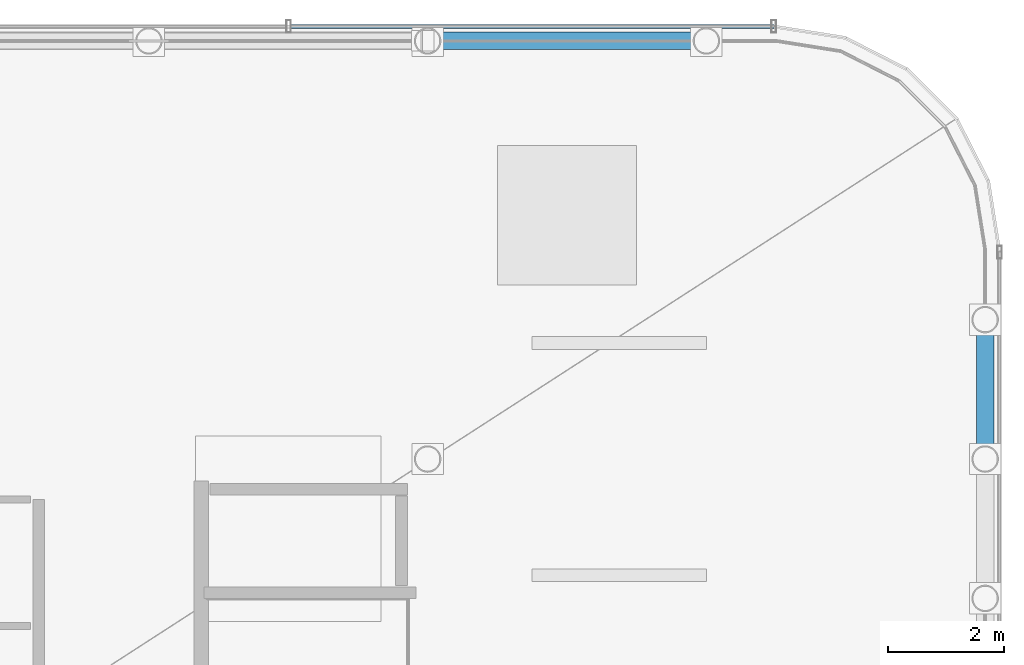
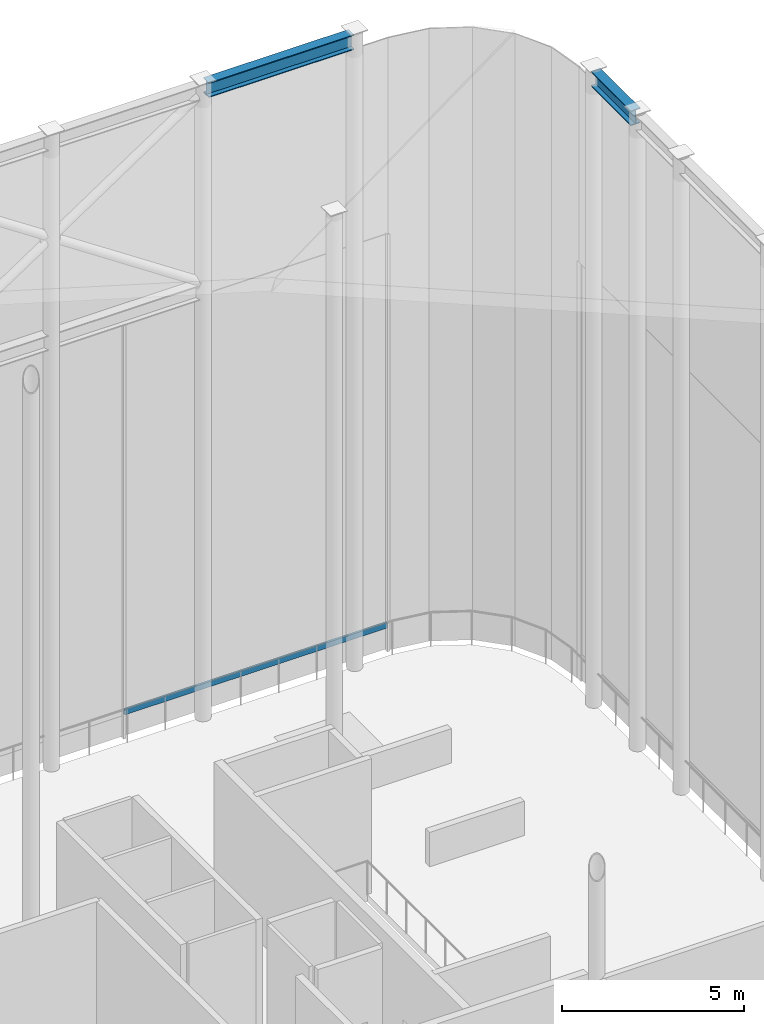
# One storey, part 33 of 42: 2 beams, 1 member, 1 element without a shape of its own.
"""IFC4 building model written with IfcOpenShell, lengths in metres."""

from ifc_helpers import new_model, si_unit, direction, frame, origin, origin_2d, place, context, subcontext, project, spatial, hollow_rectangle, i_section, extrude, material, layer, layer_set, material_profile, profile_set, type_object, element, aggregate, save


model = new_model("IFC4")

# Units and contexts
model_context = context("Model", 3, precision=1e-05, world=origin(), true_north=direction((0.0, 1.0)))
body_context = subcontext(model_context, "Body", "Model", "MODEL_VIEW")
ifc_project = project(units=[si_unit("LENGTHUNIT", "METRE"), si_unit("AREAUNIT", "SQUARE_METRE"), si_unit("VOLUMEUNIT", "CUBIC_METRE"), si_unit("PLANEANGLEUNIT", "RADIAN"), si_unit("MASSUNIT", "GRAM", prefix="KILO")], contexts=[model_context])

# Site, building, storey
site_placement = place(None, origin())
site = spatial("IfcSite", under=ifc_project, at=site_placement, CompositionType="ELEMENT")
building_placement = place(site_placement, origin())
building = spatial("IfcBuilding", under=site, at=building_placement, Name="Kallvorn Hotel Tower", CompositionType="ELEMENT")
storey_placement = place(building_placement, frame((0.0, 0.0, 306.0)))
storey = spatial("IfcBuildingStorey", under=building, at=storey_placement, Name="ROOF", CompositionType="ELEMENT", Elevation=306.0)

# Beams
ifc_material_1 = material(Name="Structural steel S355JR", Category="steel")
ifc_material_profile_1 = material_profile(ifc_material_1, i_section(OverallWidth=0.300048828125, OverallDepth=0.5, WebThickness=0.014404296875, FlangeThickness=0.028076171875, at=origin_2d()), Name="HE 500 B")
ifc_profile_set_1 = profile_set([ifc_material_profile_1], Name="Structural steel S355JR")
beam_type = type_object("IfcBeamType", Name="BM_HE500B", PredefinedType="SPANDREL", material=ifc_profile_set_1)
beam_1_placement = place(storey_placement, frame((14.5, 14.39990234375, 21.030029296875), z_axis=(1.0, 0.0, 0.0), x_axis=(0.0, 1.0, 0.0)))
element("IfcBeam", 1, at=beam_1_placement, inside=storey, type_object=beam_type, Name="CROWN FRAME Top Ring Beam 18", PredefinedType="SPANDREL", context=body_context, shape_type="SweptSolid", body=[
    extrude(i_section(OverallWidth=0.300048828125, OverallDepth=0.5, WebThickness=0.014404296875, FlangeThickness=0.028076171875, at=origin_2d()), origin(), (0.0, 0.0, 1.0), 4.60009765625),
])
beam_2_placement = place(storey_placement, frame((24.0, 7.300048828125, 21.030029296875), z_axis=(0.0, 1.0, 0.0), x_axis=(-1.0, 0.0, 0.0)))
element("IfcBeam", 2, at=beam_2_placement, inside=storey, type_object=beam_type, Name="CROWN FRAME Top Ring Beam 32", PredefinedType="SPANDREL", context=body_context, shape_type="SweptSolid", body=[
    extrude(i_section(OverallWidth=0.300048828125, OverallDepth=0.5, WebThickness=0.014404296875, FlangeThickness=0.028076171875, at=origin_2d()), origin(), (0.0, 0.0, 1.0), 2.199951171875),
])

# Curtain wall, member
ifc_material_2 = material(Name="Thermally broken black-anodised aluminium AA 6063-T6", Category="aluminium")
ifc_layer = layer(ifc_material_2, 0.18994140625)
ifc_layer_set = layer_set([ifc_layer], Name="CW_SYS_7_CROWN_DRUM")
curtain_wall_type = type_object("IfcCurtainWallType", Name="CW_SYS_7_CROWN_DRUM", PredefinedType="USERDEFINED", material=ifc_layer_set)
curtain_wall_placement = place(storey_placement, origin())
curtain_wall = element("IfcCurtainWall", 3, at=curtain_wall_placement, inside=storey, type_object=curtain_wall_type, Name="ROOF Dark-Glass Curtain Wall CW-ROOF-N2", ObjectType="UNITISED CURTAIN WALL", PredefinedType="USERDEFINED")
ifc_material_3 = material(Name="Thermally broken black-anodised aluminium AA 6063-T6", Category="aluminium")
ifc_material_profile_2 = material_profile(ifc_material_3, hollow_rectangle(XDim=0.070068359375, YDim=0.179931640625, WallThickness=0.00390625, at=origin_2d()), Name="TRN 180x70")
ifc_profile_set_2 = profile_set([ifc_material_profile_2], Name="Thermally broken black-anodised aluminium AA 6063-T6")
member_type = type_object("IfcMemberType", Name="CW_TRANSOM_180x70", PredefinedType="USERDEFINED", material=ifc_profile_set_2)
member_placement = place(storey_placement, frame((12.046630859375, 14.64990234375, 0.85009765625), z_axis=(1.0, 0.0, 0.0), x_axis=(0.0, 1.0, 0.0)))
member = element("IfcMember", 4, at=member_placement, type_object=member_type, Name="CW-ROOF-N2 Transom 02M", ObjectType="TRANSOM", PredefinedType="USERDEFINED", context=body_context, shape_type="SweptSolid", body=[
    extrude(hollow_rectangle(XDim=0.070068359375, YDim=0.179931640625, WallThickness=0.00390625, at=origin_2d()), origin(), (0.0, 0.0, 1.0), 8.3134765625),
])
aggregate(curtain_wall, [member])

save(model, "model.ifc")
